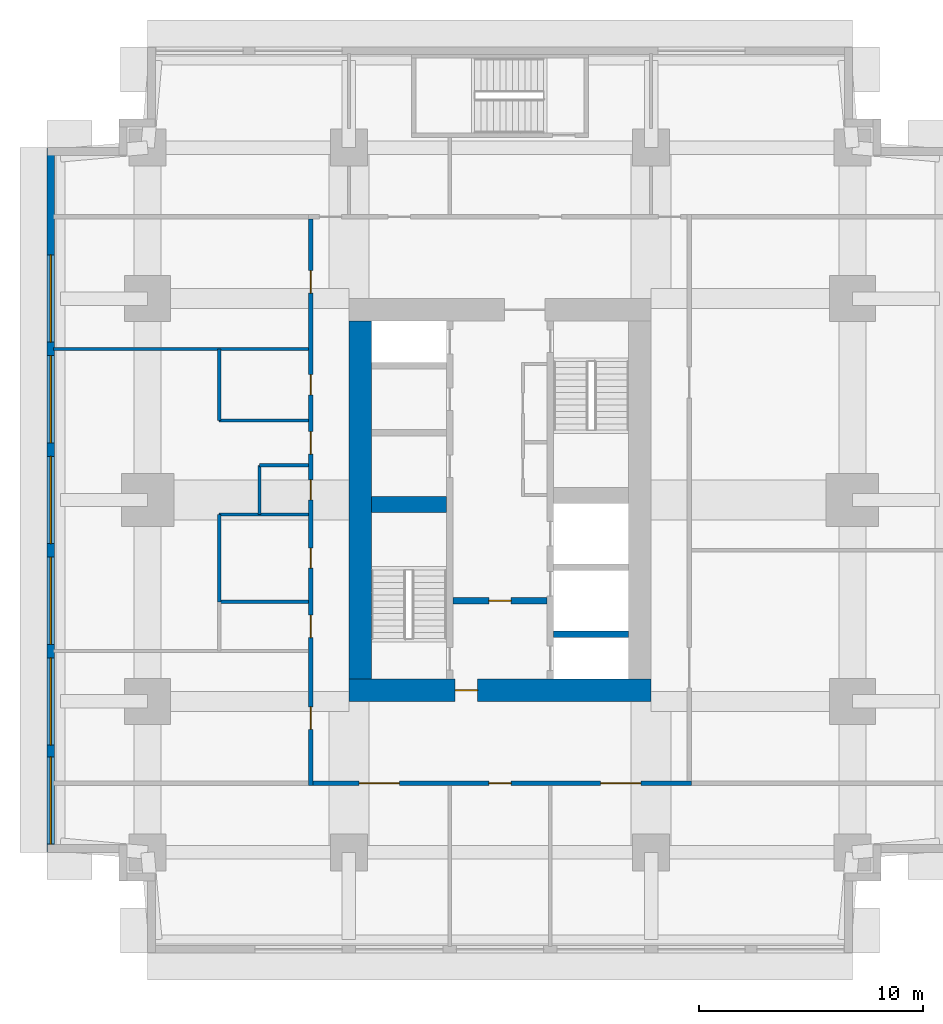
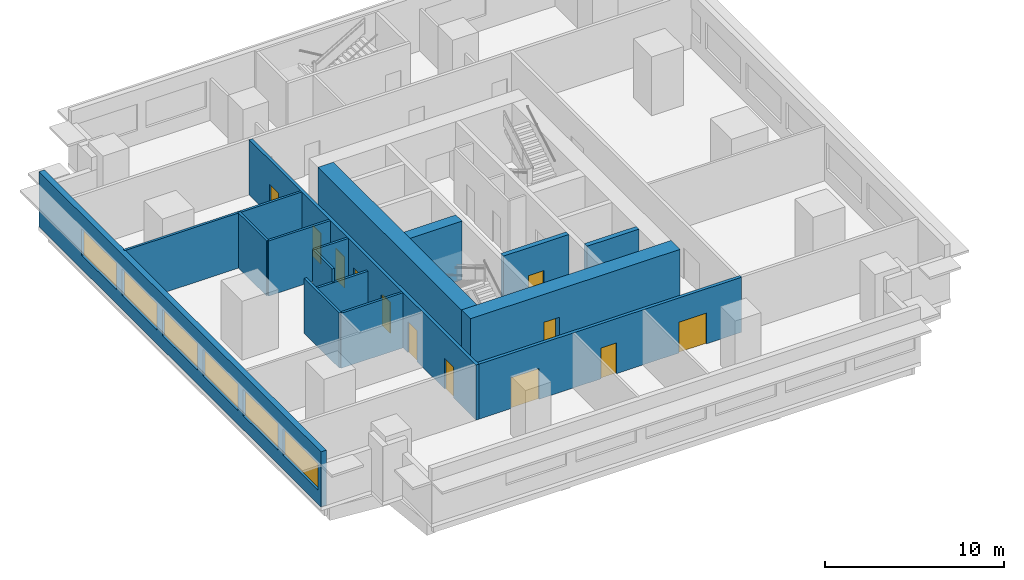
# One storey, part 3 of 11: 16 walls, 12 doors, 6 windows, 18 openings.
"""IFC4 building model written with IfcOpenShell, lengths in metres."""

from ifc_helpers import new_model, si_unit, direction, frame, frame_2d, origin, place, context, subcontext, project, spatial, rectangle, extrude, material, layer, layer_set, type_object, element, fill, save


model = new_model("IFC4")

# Units and contexts
model_context = context("Model", 3, precision=1e-05, world=origin(), true_north=direction((0.0, 1.0)))
body_context = subcontext(model_context, "Body", "Model", "MODEL_VIEW")
ifc_project = project(units=[si_unit("LENGTHUNIT", "METRE"), si_unit("AREAUNIT", "SQUARE_METRE"), si_unit("VOLUMEUNIT", "CUBIC_METRE"), si_unit("PLANEANGLEUNIT", "RADIAN"), si_unit("MASSUNIT", "GRAM", prefix="KILO")], contexts=[model_context])

# Site, building, storey
site_placement = place(None, origin())
site = spatial("IfcSite", under=ifc_project, at=site_placement, CompositionType="ELEMENT")
building_placement = place(site_placement, origin())
building = spatial("IfcBuilding", under=site, at=building_placement, Name="Namib Vertical Campus", CompositionType="ELEMENT")
storey_placement = place(building_placement, frame((0.0, 0.0, 197.0)))
storey = spatial("IfcBuildingStorey", under=building, at=storey_placement, Name="L46", CompositionType="ELEMENT", Elevation=197.0)

# Wall, opening, door
ifc_material_1 = material(Name="Concrete C60/75", Category="concrete")
ifc_layer_1 = layer(ifc_material_1, 0.300048828125)
ifc_layer_set_1 = layer_set([ifc_layer_1], Name="Concrete C60/75")
wall_type_1 = type_object("IfcWallType", Name="Core inner wall 300", PredefinedType="SHEAR", material=ifc_layer_set_1)
wall_1_placement = place(storey_placement, frame((18.14990234375, 15.75, 0.0), z_axis=(0.0, 0.0, 1.0), x_axis=(1.0, 0.0, 0.0)))
wall_1 = element("IfcWall", 1, at=wall_1_placement, inside=storey, type_object=wall_type_1, Name="Core inner wall A L46 W4", PredefinedType="SHEAR", context=body_context, shape_type="SweptSolid", body=[
    extrude(rectangle(XDim=4.2001953125, YDim=0.300048828125, at=frame_2d((2.10009765625, 0.0))), origin(), (0.0, 0.0, 1.0), 4.0),
])
opening_1_placement = place(wall_1_placement, frame((1.60009765625, 0.0, 0.0)))
opening_1 = element("IfcOpeningElement", 2, at=opening_1_placement, cuts=wall_1, Name="Opening FD5", PredefinedType="OPENING", context=body_context, shape_type="SweptSolid", body=[
    extrude(rectangle(XDim=1.0, YDim=2.10009765625, at=frame_2d((0.5, 1.050048828125))), frame((0.0, 0.159912109375, 0.0), z_axis=(0.0, -1.0, 0.0), x_axis=(1.0, 0.0, 0.0)), (0.0, 0.0, 1.0), 0.320068359375),
])
ifc_material_2 = material(Name="Steel fire door", Category="steel")
door_type_1 = type_object("IfcDoorType", Name="Fire door 1000x2100 120 min", OperationType="SINGLE_SWING_RIGHT", PredefinedType="DOOR", material=ifc_material_2)
door_1_placement = place(opening_1_placement, frame((1.0, 0.0, 0.0), z_axis=(0.0, 0.0, 1.0), x_axis=(-1.0, 0.0, 0.0)))
door_1 = element("IfcDoor", 3, at=door_1_placement, inside=storey, type_object=door_type_1, Name="Lobby door FD5 A L46", OperationType="SINGLE_SWING_RIGHT", OverallHeight=2.10009765625, OverallWidth=1.0, PredefinedType="DOOR", context=body_context, shape_type="SweptSolid", body=[
    extrude(rectangle(XDim=1.0, YDim=2.10009765625, at=frame_2d((0.5, 1.050048828125))), frame((0.0, 0.02490234375, 0.0), z_axis=(0.0, -1.0, 0.0), x_axis=(1.0, 0.0, 0.0)), (0.0, 0.0, 1.0), 0.050048828125),
])
fill(opening_1, door_1)

# Walls
wall_2_placement = place(storey_placement, frame((22.64990234375, 14.25, 0.0), z_axis=(0.0, 0.0, 1.0), x_axis=(1.0, 0.0, 0.0)))
element("IfcWall", 4, at=wall_2_placement, inside=storey, type_object=wall_type_1, Name="Core inner wall A L46 W5", PredefinedType="SHEAR", context=body_context, shape_type="SweptSolid", body=[
    extrude(rectangle(XDim=3.35009765625, YDim=0.300048828125, at=frame_2d((1.675048828125, 0.0))), origin(), (0.0, 0.0, 1.0), 4.0),
])
ifc_material_3 = material(Name="Concrete C60/75", Category="concrete")
ifc_layer_2 = layer(ifc_material_3, 0.699951171875)
ifc_layer_set_2 = layer_set([ifc_layer_2], Name="Concrete C60/75")
wall_type_2 = type_object("IfcWallType", Name="Core shear wall 700", PredefinedType="SHEAR", material=ifc_layer_set_2)
wall_3_placement = place(storey_placement, frame((14.5, 20.050048828125, 0.0), z_axis=(0.0, 0.0, 1.0), x_axis=(1.0, 0.0, 0.0)))
element("IfcWall", 5, at=wall_3_placement, inside=storey, type_object=wall_type_2, Name="Core shear wall A L46 W3", PredefinedType="SHEAR", context=body_context, shape_type="SweptSolid", body=[
    extrude(rectangle(XDim=3.35009765625, YDim=0.699951171875, at=frame_2d((1.675048828125, 0.0))), origin(), (0.0, 0.0, 1.0), 4.0),
])

# Wall, opening, door
ifc_material_4 = material(Name="Concrete C60/75", Category="concrete")
ifc_layer_3 = layer(ifc_material_4, 1.0)
ifc_layer_set_3 = layer_set([ifc_layer_3], Name="Concrete C60/75")
wall_type_3 = type_object("IfcWallType", Name="Core wall 1000", PredefinedType="SHEAR", material=ifc_layer_set_3)
wall_4_placement = place(storey_placement, frame((13.5, 11.75, 0.0), z_axis=(0.0, 0.0, 1.0), x_axis=(1.0, 0.0, 0.0)))
wall_4 = element("IfcWall", 6, at=wall_4_placement, inside=storey, type_object=wall_type_3, Name="Core wall A L46 1", PredefinedType="SHEAR", context=body_context, shape_type="SweptSolid", body=[
    extrude(rectangle(XDim=13.5, YDim=1.0, at=frame_2d((6.75, 0.0))), origin(), (0.0, 0.0, 1.0), 4.0),
])
opening_2_placement = place(wall_4_placement, frame((4.75, 0.0, 0.0)))
opening_2 = element("IfcOpeningElement", 7, at=opening_2_placement, cuts=wall_4, Name="Opening FD5", PredefinedType="OPENING", context=body_context, shape_type="SweptSolid", body=[
    extrude(rectangle(XDim=1.0, YDim=2.10009765625, at=frame_2d((0.5, 1.050048828125))), frame((0.0, 0.510009765625, 0.0), z_axis=(0.0, -1.0, 0.0), x_axis=(1.0, 0.0, 0.0)), (0.0, 0.0, 1.0), 1.02001953125),
])
door_2_placement = place(opening_2_placement, origin())
door_2 = element("IfcDoor", 8, at=door_2_placement, inside=storey, type_object=door_type_1, Name="Firefighting lobby door FD5 A L46", OperationType="SINGLE_SWING_LEFT", OverallHeight=2.10009765625, OverallWidth=1.0, PredefinedType="DOOR", context=body_context, shape_type="SweptSolid", body=[
    extrude(rectangle(XDim=1.0, YDim=2.10009765625, at=frame_2d((0.5, 1.050048828125))), frame((0.0, 0.02490234375, 0.0), z_axis=(0.0, -1.0, 0.0), x_axis=(1.0, 0.0, 0.0)), (0.0, 0.0, 1.0), 0.050048828125),
])
fill(opening_2, door_2)

# Wall
wall_5_placement = place(storey_placement, frame((14.0, 28.25, 0.0), z_axis=(0.0, 0.0, 1.0), x_axis=(0.0, -1.0, 0.0)))
element("IfcWall", 9, at=wall_5_placement, inside=storey, type_object=wall_type_3, Name="Core wall A L46 4", PredefinedType="SHEAR", context=body_context, shape_type="SweptSolid", body=[
    extrude(rectangle(XDim=16.0, YDim=1.0, at=frame_2d((8.0, 0.0))), origin(), (0.0, 0.0, 1.0), 4.0),
])

# Wall, openings, doors
ifc_material_5 = material(Name="Concrete masonry", Category="masonry")
ifc_layer_4 = layer(ifc_material_5, 0.199951171875)
ifc_layer_set_4 = layer_set([ifc_layer_4], Name="Corridor wall 200")
wall_type_4 = type_object("IfcWallType", Name="Corridor wall 200", PredefinedType="SOLIDWALL", material=ifc_layer_set_4)
wall_6_placement = place(storey_placement, frame((11.89990234375, 7.60009765625, 0.0), z_axis=(0.0, 0.0, 1.0), x_axis=(1.0, 0.0, 0.0)))
wall_6 = element("IfcWall", 10, at=wall_6_placement, inside=storey, type_object=wall_type_4, Name="Corridor wall A L46 CS", PredefinedType="SOLIDWALL", context=body_context, shape_type="SweptSolid", body=[
    extrude(rectangle(XDim=16.900146484375, YDim=0.199951171875, at=frame_2d((8.4501953125, 0.0))), origin(), (0.0, 0.0, 1.0), 3.75),
])
opening_3_placement = place(wall_6_placement, frame((2.050048828125, 0.0, 0.0)))
opening_3 = element("IfcOpeningElement", 11, at=opening_3_placement, cuts=wall_6, Name="Opening CD2", PredefinedType="OPENING", context=body_context, shape_type="SweptSolid", body=[
    extrude(rectangle(XDim=1.800048828125, YDim=2.10009765625, at=frame_2d((0.89990234375, 1.050048828125))), frame((0.0, 0.10986328125, 0.0), z_axis=(0.0, -1.0, 0.0), x_axis=(1.0, 0.0, 0.0)), (0.0, 0.0, 1.0), 0.219970703125),
])
opening_4_placement = place(wall_6_placement, frame((7.85009765625, 0.0, 0.0)))
opening_4 = element("IfcOpeningElement", 12, at=opening_4_placement, cuts=wall_6, Name="Opening CD1", PredefinedType="OPENING", context=body_context, shape_type="SweptSolid", body=[
    extrude(rectangle(XDim=1.0, YDim=2.10009765625, at=frame_2d((0.5, 1.050048828125))), frame((0.0, 0.10986328125, 0.0), z_axis=(0.0, -1.0, 0.0), x_axis=(1.0, 0.0, 0.0)), (0.0, 0.0, 1.0), 0.219970703125),
])
opening_5_placement = place(wall_6_placement, frame((12.85009765625, 0.0, 0.0)))
opening_5 = element("IfcOpeningElement", 13, at=opening_5_placement, cuts=wall_6, Name="Opening CD2", PredefinedType="OPENING", context=body_context, shape_type="SweptSolid", body=[
    extrude(rectangle(XDim=1.800048828125, YDim=2.10009765625, at=frame_2d((0.89990234375, 1.050048828125))), frame((0.0, 0.10986328125, 0.0), z_axis=(0.0, -1.0, 0.0), x_axis=(1.0, 0.0, 0.0)), (0.0, 0.0, 1.0), 0.219970703125),
])
ifc_material_6 = material(Name="Timber fire door leaf", Category="wood")
door_type_2 = type_object("IfcDoorType", Name="Corridor door 1000x2100 20 min", OperationType="SINGLE_SWING_LEFT", PredefinedType="DOOR", material=ifc_material_6)
door_3_placement = place(opening_4_placement, frame((1.0, 0.0, 0.0), z_axis=(0.0, 0.0, 1.0), x_axis=(-1.0, 0.0, 0.0)))
door_3 = element("IfcDoor", 14, at=door_3_placement, inside=storey, type_object=door_type_2, Name="Door CD1 A46-02", OperationType="SINGLE_SWING_RIGHT", OverallHeight=2.10009765625, OverallWidth=1.0, PredefinedType="DOOR", context=body_context, shape_type="SweptSolid", body=[
    extrude(rectangle(XDim=1.0, YDim=2.10009765625, at=frame_2d((0.5, 1.050048828125))), frame((0.0, 0.02490234375, 0.0), z_axis=(0.0, -1.0, 0.0), x_axis=(1.0, 0.0, 0.0)), (0.0, 0.0, 1.0), 0.050048828125),
])
fill(opening_4, door_3)
ifc_material_7 = material(Name="Timber fire door leaf", Category="wood")
door_type_3 = type_object("IfcDoorType", Name="Corridor door double 1800x2100 20 min", OperationType="DOUBLE_DOOR_SINGLE_SWING", PredefinedType="DOOR", material=ifc_material_7)
door_4_placement = place(opening_3_placement, frame((1.800048828125, 0.0, 0.0), z_axis=(0.0, 0.0, 1.0), x_axis=(-1.0, 0.0, 0.0)))
door_4 = element("IfcDoor", 15, at=door_4_placement, inside=storey, type_object=door_type_3, Name="Door CD2 A46-01", OperationType="DOUBLE_DOOR_SINGLE_SWING", OverallHeight=2.10009765625, OverallWidth=1.800048828125, PredefinedType="DOOR", context=body_context, shape_type="SweptSolid", body=[
    extrude(rectangle(XDim=1.800048828125, YDim=2.10009765625, at=frame_2d((0.89990234375, 1.050048828125))), frame((0.0, 0.02490234375, 0.0), z_axis=(0.0, -1.0, 0.0), x_axis=(1.0, 0.0, 0.0)), (0.0, 0.0, 1.0), 0.050048828125),
])
fill(opening_3, door_4)
door_5_placement = place(opening_5_placement, frame((1.800048828125, 0.0, 0.0), z_axis=(0.0, 0.0, 1.0), x_axis=(-1.0, 0.0, 0.0)))
door_5 = element("IfcDoor", 16, at=door_5_placement, inside=storey, type_object=door_type_3, Name="Door CD2 A46-03", OperationType="DOUBLE_DOOR_SINGLE_SWING", OverallHeight=2.10009765625, OverallWidth=1.800048828125, PredefinedType="DOOR", context=body_context, shape_type="SweptSolid", body=[
    extrude(rectangle(XDim=1.800048828125, YDim=2.10009765625, at=frame_2d((0.89990234375, 1.050048828125))), frame((0.0, 0.02490234375, 0.0), z_axis=(0.0, -1.0, 0.0), x_axis=(1.0, 0.0, 0.0)), (0.0, 0.0, 1.0), 0.050048828125),
])
fill(opening_5, door_5)

wall_7_placement = place(storey_placement, frame((11.800048828125, 32.800048828125, 0.0), z_axis=(0.0, 0.0, 1.0), x_axis=(0.0, -1.0, 0.0)))
wall_7 = element("IfcWall", 17, at=wall_7_placement, inside=storey, type_object=wall_type_4, Name="Corridor wall A L46 CW", PredefinedType="SOLIDWALL", context=body_context, shape_type="SweptSolid", body=[
    extrude(rectangle(XDim=25.300048828125, YDim=0.199951171875, at=frame_2d((12.64990234375, 0.0))), origin(), (0.0, 0.0, 1.0), 3.75),
])
opening_6_placement = place(wall_7_placement, frame((21.800048828125, 0.0, 0.0)))
opening_6 = element("IfcOpeningElement", 18, at=opening_6_placement, cuts=wall_7, Name="Opening CD1", PredefinedType="OPENING", context=body_context, shape_type="SweptSolid", body=[
    extrude(rectangle(XDim=1.0, YDim=2.10009765625, at=frame_2d((0.5, 1.050048828125))), frame((0.0, 0.10986328125, 0.0), z_axis=(0.0, -1.0, 0.0), x_axis=(1.0, 0.0, 0.0)), (0.0, 0.0, 1.0), 0.219970703125),
])
opening_7_placement = place(wall_7_placement, frame((17.699951171875, 0.0, 0.0)))
opening_7 = element("IfcOpeningElement", 19, at=opening_7_placement, cuts=wall_7, Name="Opening CD1", PredefinedType="OPENING", context=body_context, shape_type="SweptSolid", body=[
    extrude(rectangle(XDim=1.0, YDim=2.10009765625, at=frame_2d((0.5, 1.050048828125))), frame((0.0, 0.10986328125, 0.0), z_axis=(0.0, -1.0, 0.0), x_axis=(1.0, 0.0, 0.0)), (0.0, 0.0, 1.0), 0.219970703125),
])
opening_8_placement = place(wall_7_placement, frame((14.699951171875, 0.0, 0.0)))
opening_8 = element("IfcOpeningElement", 20, at=opening_8_placement, cuts=wall_7, Name="Opening CD3", PredefinedType="OPENING", context=body_context, shape_type="SweptSolid", body=[
    extrude(rectangle(XDim=0.89990234375, YDim=2.10009765625, at=frame_2d((0.449951171875, 1.050048828125))), frame((0.0, 0.10986328125, 0.0), z_axis=(0.0, -1.0, 0.0), x_axis=(1.0, 0.0, 0.0)), (0.0, 0.0, 1.0), 0.219970703125),
])
opening_9_placement = place(wall_7_placement, frame((11.64990234375, 0.0, 0.0)))
opening_9 = element("IfcOpeningElement", 21, at=opening_9_placement, cuts=wall_7, Name="Opening CD3", PredefinedType="OPENING", context=body_context, shape_type="SweptSolid", body=[
    extrude(rectangle(XDim=0.89990234375, YDim=2.10009765625, at=frame_2d((0.449951171875, 1.050048828125))), frame((0.0, 0.10986328125, 0.0), z_axis=(0.0, -1.0, 0.0), x_axis=(1.0, 0.0, 0.0)), (0.0, 0.0, 1.0), 0.219970703125),
])
opening_10_placement = place(wall_7_placement, frame((6.949951171875, 0.0, 0.0)))
opening_10 = element("IfcOpeningElement", 22, at=opening_10_placement, cuts=wall_7, Name="Opening CD3", PredefinedType="OPENING", context=body_context, shape_type="SweptSolid", body=[
    extrude(rectangle(XDim=0.89990234375, YDim=2.10009765625, at=frame_2d((0.449951171875, 1.050048828125))), frame((0.0, 0.10986328125, 0.0), z_axis=(0.0, -1.0, 0.0), x_axis=(1.0, 0.0, 0.0)), (0.0, 0.0, 1.0), 0.219970703125),
])
opening_11_placement = place(wall_7_placement, frame((9.5, 0.0, 0.0)))
opening_11 = element("IfcOpeningElement", 23, at=opening_11_placement, cuts=wall_7, Name="Opening CD1", PredefinedType="OPENING", context=body_context, shape_type="SweptSolid", body=[
    extrude(rectangle(XDim=1.0, YDim=2.10009765625, at=frame_2d((0.5, 1.050048828125))), frame((0.0, 0.10986328125, 0.0), z_axis=(0.0, -1.0, 0.0), x_axis=(1.0, 0.0, 0.0)), (0.0, 0.0, 1.0), 0.219970703125),
])
opening_12_placement = place(wall_7_placement, frame((2.300048828125, 0.0, 0.0)))
opening_12 = element("IfcOpeningElement", 24, at=opening_12_placement, cuts=wall_7, Name="Opening CD1", PredefinedType="OPENING", context=body_context, shape_type="SweptSolid", body=[
    extrude(rectangle(XDim=1.0, YDim=2.10009765625, at=frame_2d((0.5, 1.050048828125))), frame((0.0, 0.10986328125, 0.0), z_axis=(0.0, -1.0, 0.0), x_axis=(1.0, 0.0, 0.0)), (0.0, 0.0, 1.0), 0.219970703125),
])
door_6_placement = place(opening_6_placement, frame((1.0, 0.0, 0.0), z_axis=(0.0, 0.0, 1.0), x_axis=(-1.0, 0.0, 0.0)))
door_6 = element("IfcDoor", 25, at=door_6_placement, inside=storey, type_object=door_type_2, Name="Door CD1 A46-10", OperationType="SINGLE_SWING_RIGHT", OverallHeight=2.10009765625, OverallWidth=1.0, PredefinedType="DOOR", context=body_context, shape_type="SweptSolid", body=[
    extrude(rectangle(XDim=1.0, YDim=2.10009765625, at=frame_2d((0.5, 1.050048828125))), frame((0.0, 0.02490234375, 0.0), z_axis=(0.0, -1.0, 0.0), x_axis=(1.0, 0.0, 0.0)), (0.0, 0.0, 1.0), 0.050048828125),
])
fill(opening_6, door_6)
door_7_placement = place(opening_7_placement, frame((1.0, 0.0, 0.0), z_axis=(0.0, 0.0, 1.0), x_axis=(-1.0, 0.0, 0.0)))
door_7 = element("IfcDoor", 26, at=door_7_placement, inside=storey, type_object=door_type_2, Name="Door CD1 A46-11", OperationType="SINGLE_SWING_RIGHT", OverallHeight=2.10009765625, OverallWidth=1.0, PredefinedType="DOOR", context=body_context, shape_type="SweptSolid", body=[
    extrude(rectangle(XDim=1.0, YDim=2.10009765625, at=frame_2d((0.5, 1.050048828125))), frame((0.0, 0.02490234375, 0.0), z_axis=(0.0, -1.0, 0.0), x_axis=(1.0, 0.0, 0.0)), (0.0, 0.0, 1.0), 0.050048828125),
])
fill(opening_7, door_7)
door_8_placement = place(opening_11_placement, frame((1.0, 0.0, 0.0), z_axis=(0.0, 0.0, 1.0), x_axis=(-1.0, 0.0, 0.0)))
door_8 = element("IfcDoor", 27, at=door_8_placement, inside=storey, type_object=door_type_2, Name="Door CD1 A46-15", OperationType="SINGLE_SWING_RIGHT", OverallHeight=2.10009765625, OverallWidth=1.0, PredefinedType="DOOR", context=body_context, shape_type="SweptSolid", body=[
    extrude(rectangle(XDim=1.0, YDim=2.10009765625, at=frame_2d((0.5, 1.050048828125))), frame((0.0, 0.02490234375, 0.0), z_axis=(0.0, -1.0, 0.0), x_axis=(1.0, 0.0, 0.0)), (0.0, 0.0, 1.0), 0.050048828125),
])
fill(opening_11, door_8)
door_9_placement = place(opening_12_placement, frame((1.0, 0.0, 0.0), z_axis=(0.0, 0.0, 1.0), x_axis=(-1.0, 0.0, 0.0)))
door_9 = element("IfcDoor", 28, at=door_9_placement, inside=storey, type_object=door_type_2, Name="Door CD1 A46-16", OperationType="SINGLE_SWING_RIGHT", OverallHeight=2.10009765625, OverallWidth=1.0, PredefinedType="DOOR", context=body_context, shape_type="SweptSolid", body=[
    extrude(rectangle(XDim=1.0, YDim=2.10009765625, at=frame_2d((0.5, 1.050048828125))), frame((0.0, 0.02490234375, 0.0), z_axis=(0.0, -1.0, 0.0), x_axis=(1.0, 0.0, 0.0)), (0.0, 0.0, 1.0), 0.050048828125),
])
fill(opening_12, door_9)
ifc_material_8 = material(Name="Timber fire door leaf", Category="wood")
door_type_4 = type_object("IfcDoorType", Name="Corridor toilet door 900x2100 20 min", OperationType="SINGLE_SWING_LEFT", PredefinedType="DOOR", material=ifc_material_8)
door_10_placement = place(opening_8_placement, frame((0.89990234375, 0.0, 0.0), z_axis=(0.0, 0.0, 1.0), x_axis=(-1.0, 0.0, 0.0)))
door_10 = element("IfcDoor", 29, at=door_10_placement, inside=storey, type_object=door_type_4, Name="Door CD3 A46-12", OperationType="SINGLE_SWING_RIGHT", OverallHeight=2.10009765625, OverallWidth=0.89990234375, PredefinedType="DOOR", context=body_context, shape_type="SweptSolid", body=[
    extrude(rectangle(XDim=0.89990234375, YDim=2.10009765625, at=frame_2d((0.449951171875, 1.050048828125))), frame((0.0, 0.02490234375, 0.0), z_axis=(0.0, -1.0, 0.0), x_axis=(1.0, 0.0, 0.0)), (0.0, 0.0, 1.0), 0.050048828125),
])
fill(opening_8, door_10)
door_11_placement = place(opening_9_placement, frame((0.89990234375, 0.0, 0.0), z_axis=(0.0, 0.0, 1.0), x_axis=(-1.0, 0.0, 0.0)))
door_11 = element("IfcDoor", 30, at=door_11_placement, inside=storey, type_object=door_type_4, Name="Door CD3 A46-13", OperationType="SINGLE_SWING_RIGHT", OverallHeight=2.10009765625, OverallWidth=0.89990234375, PredefinedType="DOOR", context=body_context, shape_type="SweptSolid", body=[
    extrude(rectangle(XDim=0.89990234375, YDim=2.10009765625, at=frame_2d((0.449951171875, 1.050048828125))), frame((0.0, 0.02490234375, 0.0), z_axis=(0.0, -1.0, 0.0), x_axis=(1.0, 0.0, 0.0)), (0.0, 0.0, 1.0), 0.050048828125),
])
fill(opening_9, door_11)
door_12_placement = place(opening_10_placement, frame((0.89990234375, 0.0, 0.0), z_axis=(0.0, 0.0, 1.0), x_axis=(-1.0, 0.0, 0.0)))
door_12 = element("IfcDoor", 31, at=door_12_placement, inside=storey, type_object=door_type_4, Name="Door CD3 A46-14", OperationType="SINGLE_SWING_RIGHT", OverallHeight=2.10009765625, OverallWidth=0.89990234375, PredefinedType="DOOR", context=body_context, shape_type="SweptSolid", body=[
    extrude(rectangle(XDim=0.89990234375, YDim=2.10009765625, at=frame_2d((0.449951171875, 1.050048828125))), frame((0.0, 0.02490234375, 0.0), z_axis=(0.0, -1.0, 0.0), x_axis=(1.0, 0.0, 0.0)), (0.0, 0.0, 1.0), 0.050048828125),
])
fill(opening_10, door_12)

# Wall, openings, windows
ifc_material_9 = material(Name="Concrete C40/50", Category="concrete")
ifc_layer_5 = layer(ifc_material_9, 0.35009765625)
ifc_layer_set_5 = layer_set([ifc_layer_5], Name="Concrete C40/50")
wall_type_5 = type_object("IfcWallType", Name="External wall 350 bush-hammered concrete", PredefinedType="STANDARD", material=ifc_layer_set_5)
wall_8_placement = place(storey_placement, frame((0.175048828125, 35.97998046875, 0.0), z_axis=(0.0, 0.0, 1.0), x_axis=(0.0, -1.0, 0.0)))
wall_8 = element("IfcWall", 32, at=wall_8_placement, inside=storey, type_object=wall_type_5, Name="External wall L46 F16", PredefinedType="STANDARD", context=body_context, shape_type="SweptSolid", body=[
    extrude(rectangle(XDim=31.4599609375, YDim=0.35009765625, at=frame_2d((15.72998046875, 0.0))), origin(), (0.0, 0.0, 1.0), 3.75),
])
opening_13_placement = place(wall_8_placement, frame((27.2099609375, 0.0, 0.949951171875)))
opening_13 = element("IfcOpeningElement", 33, at=opening_13_placement, cuts=wall_8, Name="Opening W3", PredefinedType="OPENING", context=body_context, shape_type="SweptSolid", body=[
    extrude(rectangle(XDim=3.89990234375, YDim=1.800048828125, at=frame_2d((1.949951171875, 0.89990234375))), frame((0.0, 0.18505859375, 0.0), z_axis=(0.0, -1.0, 0.0), x_axis=(1.0, 0.0, 0.0)), (0.0, 0.0, 1.0), 0.3701171875),
])
opening_14_placement = place(wall_8_placement, frame((22.780029296875, 0.0, 0.949951171875)))
opening_14 = element("IfcOpeningElement", 34, at=opening_14_placement, cuts=wall_8, Name="Opening W3", PredefinedType="OPENING", context=body_context, shape_type="SweptSolid", body=[
    extrude(rectangle(XDim=3.89990234375, YDim=1.800048828125, at=frame_2d((1.949951171875, 0.89990234375))), frame((0.0, 0.18505859375, 0.0), z_axis=(0.0, -1.0, 0.0), x_axis=(1.0, 0.0, 0.0)), (0.0, 0.0, 1.0), 0.3701171875),
])
opening_15_placement = place(wall_8_placement, frame((18.280029296875, 0.0, 0.949951171875)))
opening_15 = element("IfcOpeningElement", 35, at=opening_15_placement, cuts=wall_8, Name="Opening W3", PredefinedType="OPENING", context=body_context, shape_type="SweptSolid", body=[
    extrude(rectangle(XDim=3.89990234375, YDim=1.800048828125, at=frame_2d((1.949951171875, 0.89990234375))), frame((0.0, 0.18505859375, 0.0), z_axis=(0.0, -1.0, 0.0), x_axis=(1.0, 0.0, 0.0)), (0.0, 0.0, 1.0), 0.3701171875),
])
opening_16_placement = place(wall_8_placement, frame((13.780029296875, 0.0, 0.949951171875)))
opening_16 = element("IfcOpeningElement", 36, at=opening_16_placement, cuts=wall_8, Name="Opening W3", PredefinedType="OPENING", context=body_context, shape_type="SweptSolid", body=[
    extrude(rectangle(XDim=3.89990234375, YDim=1.800048828125, at=frame_2d((1.949951171875, 0.89990234375))), frame((0.0, 0.18505859375, 0.0), z_axis=(0.0, -1.0, 0.0), x_axis=(1.0, 0.0, 0.0)), (0.0, 0.0, 1.0), 0.3701171875),
])
opening_17_placement = place(wall_8_placement, frame((9.280029296875, 0.0, 0.949951171875)))
opening_17 = element("IfcOpeningElement", 37, at=opening_17_placement, cuts=wall_8, Name="Opening W3", PredefinedType="OPENING", context=body_context, shape_type="SweptSolid", body=[
    extrude(rectangle(XDim=3.89990234375, YDim=1.800048828125, at=frame_2d((1.949951171875, 0.89990234375))), frame((0.0, 0.18505859375, 0.0), z_axis=(0.0, -1.0, 0.0), x_axis=(1.0, 0.0, 0.0)), (0.0, 0.0, 1.0), 0.3701171875),
])
opening_18_placement = place(wall_8_placement, frame((4.780029296875, 0.0, 0.949951171875)))
opening_18 = element("IfcOpeningElement", 38, at=opening_18_placement, cuts=wall_8, Name="Opening W3", PredefinedType="OPENING", context=body_context, shape_type="SweptSolid", body=[
    extrude(rectangle(XDim=3.89990234375, YDim=1.800048828125, at=frame_2d((1.949951171875, 0.89990234375))), frame((0.0, 0.18505859375, 0.0), z_axis=(0.0, -1.0, 0.0), x_axis=(1.0, 0.0, 0.0)), (0.0, 0.0, 1.0), 0.3701171875),
])
ifc_material_10 = material(Name="Dark tinted glass in black aluminium frame", Category="aluminium")
window_type = type_object("IfcWindowType", Name="Ribbon window 3900x1800", PartitioningType="SINGLE_PANEL", PredefinedType="WINDOW", material=ifc_material_10)
window_1_placement = place(opening_13_placement, origin())
window_1 = element("IfcWindow", 39, at=window_1_placement, inside=storey, type_object=window_type, Name="Window W3 L46 F16-1", OverallHeight=1.800048828125, OverallWidth=3.89990234375, PartitioningType="SINGLE_PANEL", PredefinedType="WINDOW", context=body_context, shape_type="SweptSolid", body=[
    extrude(rectangle(XDim=3.89990234375, YDim=1.800048828125, at=frame_2d((1.949951171875, 0.89990234375))), frame((0.0, 0.030029296875, 0.0), z_axis=(0.0, -1.0, 0.0), x_axis=(1.0, 0.0, 0.0)), (0.0, 0.0, 1.0), 0.06005859375),
])
fill(opening_13, window_1)
window_2_placement = place(opening_14_placement, origin())
window_2 = element("IfcWindow", 40, at=window_2_placement, inside=storey, type_object=window_type, Name="Window W3 L46 F16-2", OverallHeight=1.800048828125, OverallWidth=3.89990234375, PartitioningType="SINGLE_PANEL", PredefinedType="WINDOW", context=body_context, shape_type="SweptSolid", body=[
    extrude(rectangle(XDim=3.89990234375, YDim=1.800048828125, at=frame_2d((1.949951171875, 0.89990234375))), frame((0.0, 0.030029296875, 0.0), z_axis=(0.0, -1.0, 0.0), x_axis=(1.0, 0.0, 0.0)), (0.0, 0.0, 1.0), 0.06005859375),
])
fill(opening_14, window_2)
window_3_placement = place(opening_15_placement, origin())
window_3 = element("IfcWindow", 41, at=window_3_placement, inside=storey, type_object=window_type, Name="Window W3 L46 F16-3", OverallHeight=1.800048828125, OverallWidth=3.89990234375, PartitioningType="SINGLE_PANEL", PredefinedType="WINDOW", context=body_context, shape_type="SweptSolid", body=[
    extrude(rectangle(XDim=3.89990234375, YDim=1.800048828125, at=frame_2d((1.949951171875, 0.89990234375))), frame((0.0, 0.030029296875, 0.0), z_axis=(0.0, -1.0, 0.0), x_axis=(1.0, 0.0, 0.0)), (0.0, 0.0, 1.0), 0.06005859375),
])
fill(opening_15, window_3)
window_4_placement = place(opening_16_placement, origin())
window_4 = element("IfcWindow", 42, at=window_4_placement, inside=storey, type_object=window_type, Name="Window W3 L46 F16-4", OverallHeight=1.800048828125, OverallWidth=3.89990234375, PartitioningType="SINGLE_PANEL", PredefinedType="WINDOW", context=body_context, shape_type="SweptSolid", body=[
    extrude(rectangle(XDim=3.89990234375, YDim=1.800048828125, at=frame_2d((1.949951171875, 0.89990234375))), frame((0.0, 0.030029296875, 0.0), z_axis=(0.0, -1.0, 0.0), x_axis=(1.0, 0.0, 0.0)), (0.0, 0.0, 1.0), 0.06005859375),
])
fill(opening_16, window_4)
window_5_placement = place(opening_17_placement, origin())
window_5 = element("IfcWindow", 43, at=window_5_placement, inside=storey, type_object=window_type, Name="Window W3 L46 F16-5", OverallHeight=1.800048828125, OverallWidth=3.89990234375, PartitioningType="SINGLE_PANEL", PredefinedType="WINDOW", context=body_context, shape_type="SweptSolid", body=[
    extrude(rectangle(XDim=3.89990234375, YDim=1.800048828125, at=frame_2d((1.949951171875, 0.89990234375))), frame((0.0, 0.030029296875, 0.0), z_axis=(0.0, -1.0, 0.0), x_axis=(1.0, 0.0, 0.0)), (0.0, 0.0, 1.0), 0.06005859375),
])
fill(opening_17, window_5)
window_6_placement = place(opening_18_placement, origin())
window_6 = element("IfcWindow", 44, at=window_6_placement, inside=storey, type_object=window_type, Name="Window W3 L46 F16-6", OverallHeight=1.800048828125, OverallWidth=3.89990234375, PartitioningType="SINGLE_PANEL", PredefinedType="WINDOW", context=body_context, shape_type="SweptSolid", body=[
    extrude(rectangle(XDim=3.89990234375, YDim=1.800048828125, at=frame_2d((1.949951171875, 0.89990234375))), frame((0.0, 0.030029296875, 0.0), z_axis=(0.0, -1.0, 0.0), x_axis=(1.0, 0.0, 0.0)), (0.0, 0.0, 1.0), 0.06005859375),
])
fill(opening_18, window_6)

# Walls
ifc_material_11 = material(Name="Gypsum board on steel studs", Category="steel")
ifc_layer_6 = layer(ifc_material_11, 0.14990234375)
ifc_layer_set_6 = layer_set([ifc_layer_6], Name="Gypsum board on steel studs")
wall_type_6 = type_object("IfcWallType", Name="Partition 150", PredefinedType="PARTITIONING", material=ifc_layer_set_6)
wall_9_placement = place(storey_placement, frame((0.300048828125, 27.0, 0.0), z_axis=(0.0, 0.0, 1.0), x_axis=(1.0, 0.0, 0.0)))
element("IfcWall", 45, at=wall_9_placement, inside=storey, type_object=wall_type_6, Name="Partition A L46 PW2", PredefinedType="PARTITIONING", context=body_context, shape_type="SweptSolid", body=[
    extrude(rectangle(XDim=11.39990234375, YDim=0.14990234375, at=frame_2d((5.699951171875, 0.0))), origin(), (0.0, 0.0, 1.0), 3.75),
])
wall_10_placement = place(storey_placement, frame((11.699951171875, 15.699951171875, 0.0), z_axis=(0.0, 0.0, 1.0), x_axis=(-1.0, 0.0, 0.0)))
element("IfcWall", 46, at=wall_10_placement, inside=storey, type_object=wall_type_6, Name="Partition A L46 WR1", PredefinedType="PARTITIONING", context=body_context, shape_type="SweptSolid", body=[
    extrude(rectangle(XDim=4.0, YDim=0.14990234375, at=frame_2d((2.0, 0.0))), origin(), (0.0, 0.0, 1.0), 3.75),
])
wall_11_placement = place(storey_placement, frame((11.699951171875, 19.60009765625, 0.0), z_axis=(0.0, 0.0, 1.0), x_axis=(-1.0, 0.0, 0.0)))
element("IfcWall", 47, at=wall_11_placement, inside=storey, type_object=wall_type_6, Name="Partition A L46 WR2", PredefinedType="PARTITIONING", context=body_context, shape_type="SweptSolid", body=[
    extrude(rectangle(XDim=4.0, YDim=0.14990234375, at=frame_2d((2.0, 0.0))), origin(), (0.0, 0.0, 1.0), 2.85009765625),
])
wall_12_placement = place(storey_placement, frame((11.699951171875, 21.800048828125, 0.0), z_axis=(0.0, 0.0, 1.0), x_axis=(-1.0, 0.0, 0.0)))
element("IfcWall", 48, at=wall_12_placement, inside=storey, type_object=wall_type_6, Name="Partition A L46 WR3", PredefinedType="PARTITIONING", context=body_context, shape_type="SweptSolid", body=[
    extrude(rectangle(XDim=2.199951171875, YDim=0.14990234375, at=frame_2d((1.10009765625, 0.0))), origin(), (0.0, 0.0, 1.0), 3.75),
])
wall_13_placement = place(storey_placement, frame((11.699951171875, 23.800048828125, 0.0), z_axis=(0.0, 0.0, 1.0), x_axis=(-1.0, 0.0, 0.0)))
element("IfcWall", 49, at=wall_13_placement, inside=storey, type_object=wall_type_6, Name="Partition A L46 WR4", PredefinedType="PARTITIONING", context=body_context, shape_type="SweptSolid", body=[
    extrude(rectangle(XDim=4.0, YDim=0.14990234375, at=frame_2d((2.0, 0.0))), origin(), (0.0, 0.0, 1.0), 3.75),
])
wall_14_placement = place(storey_placement, frame((7.699951171875, 15.699951171875, 0.0), z_axis=(0.0, 0.0, 1.0), x_axis=(0.0, 1.0, 0.0)))
element("IfcWall", 50, at=wall_14_placement, inside=storey, type_object=wall_type_6, Name="Partition A L46 WB2", PredefinedType="PARTITIONING", context=body_context, shape_type="SweptSolid", body=[
    extrude(rectangle(XDim=3.900146484375, YDim=0.14990234375, at=frame_2d((1.9501953125, 0.0))), origin(), (0.0, 0.0, 1.0), 3.75),
])
wall_15_placement = place(storey_placement, frame((9.5, 19.60009765625, 0.0), z_axis=(0.0, 0.0, 1.0), x_axis=(0.0, 1.0, 0.0)))
element("IfcWall", 51, at=wall_15_placement, inside=storey, type_object=wall_type_6, Name="Partition A L46 WB3", PredefinedType="PARTITIONING", context=body_context, shape_type="SweptSolid", body=[
    extrude(rectangle(XDim=2.199951171875, YDim=0.14990234375, at=frame_2d((1.10009765625, 0.0))), origin(), (0.0, 0.0, 1.0), 3.75),
])
wall_16_placement = place(storey_placement, frame((7.699951171875, 23.800048828125, 0.0), z_axis=(0.0, 0.0, 1.0), x_axis=(0.0, 1.0, 0.0)))
element("IfcWall", 52, at=wall_16_placement, inside=storey, type_object=wall_type_6, Name="Partition A L46 WB4", PredefinedType="PARTITIONING", context=body_context, shape_type="SweptSolid", body=[
    extrude(rectangle(XDim=3.199951171875, YDim=0.14990234375, at=frame_2d((1.60009765625, 0.0))), origin(), (0.0, 0.0, 1.0), 3.75),
])

save(model, "model.ifc")
